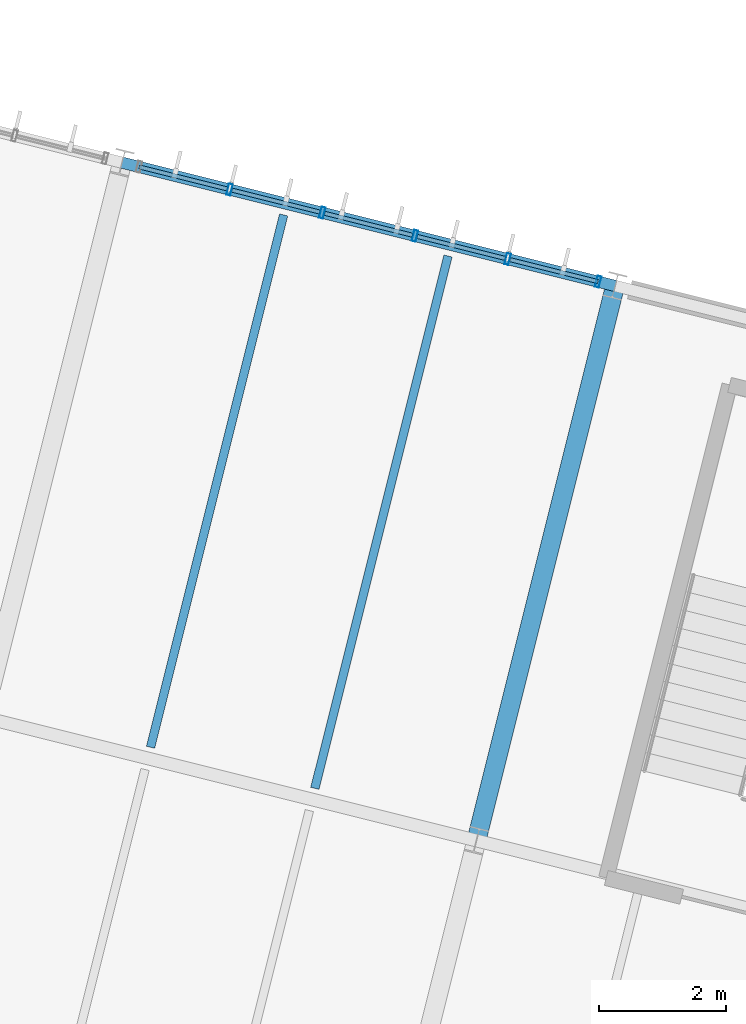
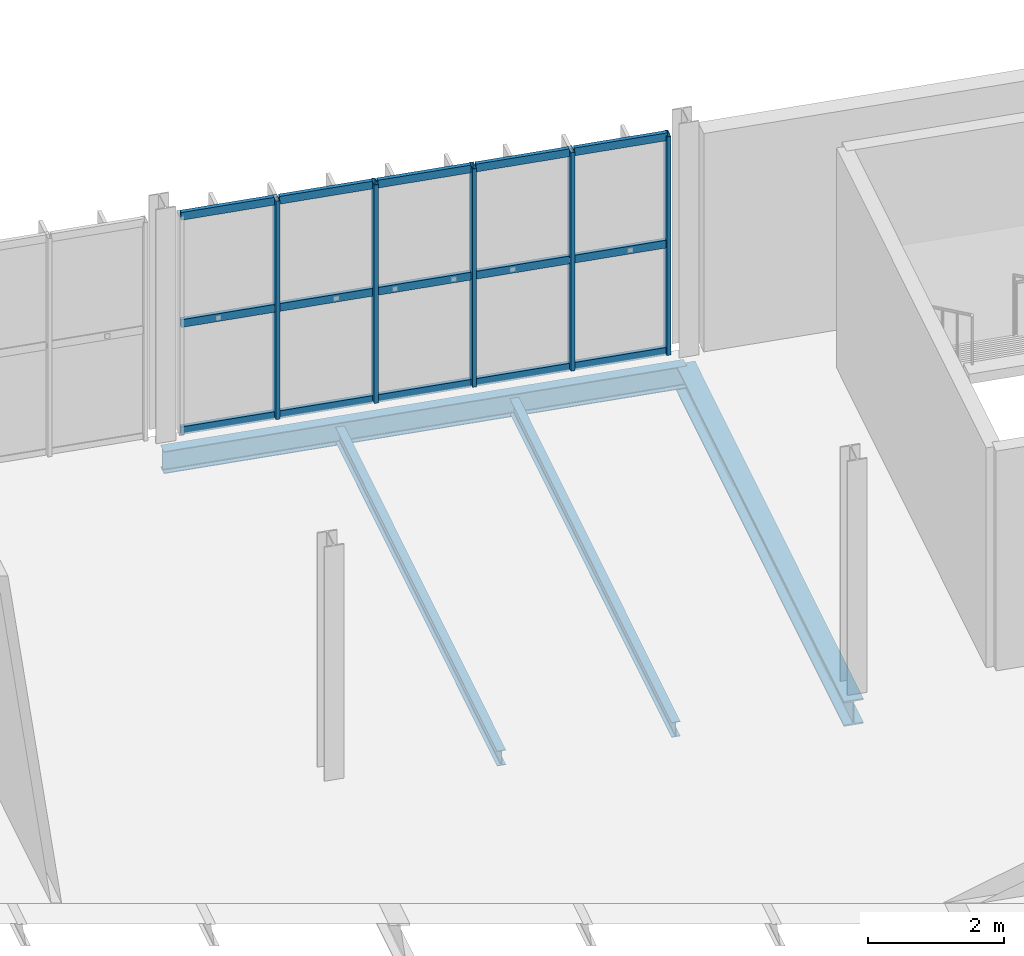
# One storey, part 38 of 61: 20 members, 4 beams, 1 element without a shape of its own.
"""IFC4 building model written with IfcOpenShell, lengths in metres."""

from ifc_helpers import new_model, si_unit, derived_unit, direction, frame, origin, origin_2d, place, context, subcontext, project, spatial, hollow_rectangle, i_section, extrude, material, material_profile, profile_set, type_object, element, aggregate, save


model = new_model("IFC4")

# Units and contexts
model_context = context("Model", 3, precision=1e-05, world=origin(), true_north=direction((0.0, 1.0)))
body_context = subcontext(model_context, "Body", "Model", "MODEL_VIEW")
ifc_project = project(units=[si_unit("LENGTHUNIT", "METRE"), si_unit("AREAUNIT", "SQUARE_METRE"), si_unit("VOLUMEUNIT", "CUBIC_METRE"), si_unit("PLANEANGLEUNIT", "RADIAN"), si_unit("MASSUNIT", "GRAM", prefix="KILO"), si_unit("THERMODYNAMICTEMPERATUREUNIT", "KELVIN"), si_unit("TIMEUNIT", "SECOND"), derived_unit("THERMALTRANSMITTANCEUNIT", [(si_unit("MASSUNIT", "GRAM", prefix="KILO"), 1), (si_unit("THERMODYNAMICTEMPERATUREUNIT", "KELVIN"), -1), (si_unit("TIMEUNIT", "SECOND"), -3)])], contexts=[model_context])

# Site, building, storey
site_placement = place(None, origin())
site = spatial("IfcSite", under=ifc_project, at=site_placement, CompositionType="ELEMENT")
building_placement = place(site_placement, origin())
building = spatial("IfcBuilding", under=site, at=building_placement, Name="Cambertide Market Hall", CompositionType="ELEMENT")
storey_placement = place(building_placement, frame((0.0, 0.0, 9.89990234375)))
storey = spatial("IfcBuildingStorey", under=building, at=storey_placement, Name="L03", CompositionType="ELEMENT", Elevation=9.89990234375)

# Curtain wall, members
ifc_material_1 = material(Name="Marine Anodized Aluminium 6063-T6 AA25", Category="aluminium")
curtain_wall_type = type_object("IfcCurtainWallType", Name="Cooking School Classroom Curtain Wall", PredefinedType="USERDEFINED", material=ifc_material_1)
curtain_wall_placement = place(storey_placement, origin())
curtain_wall = element("IfcCurtainWall", 1, at=curtain_wall_placement, inside=storey, type_object=curtain_wall_type, Name="Level 3 Curtain Wall CW-V4N-L03-7", ObjectType="UNITIZED CURTAIN WALL", PredefinedType="USERDEFINED")
ifc_material_2 = material(Name="Champagne Marine Anodized Aluminium 6063-T6 AA25", Category="aluminium")
ifc_material_profile_1 = material_profile(ifc_material_2, hollow_rectangle(XDim=0.06494140625, YDim=0.179931640625, WallThickness=0.00390625, at=origin_2d()), Name="ALU MULLION 65x180")
ifc_profile_set_1 = profile_set([ifc_material_profile_1], Name="Champagne Marine Anodized Aluminium 6063-T6 AA25")
member_type_1 = type_object("IfcMemberType", Name="Curtain Wall Mullion ALU MULLION 65x180", PredefinedType="MULLION", material=ifc_profile_set_1)
member_1_placement = place(storey_placement, frame((162.80712890625, 114.129150390625, 0.0), z_axis=(0.0, 0.0, 1.0), x_axis=(0.970142500145, -0.242535625038, 0.0)))
member_1 = element("IfcMember", 2, at=member_1_placement, type_object=member_type_1, Name="CW-V4N-L03-7 Mullion 2", PredefinedType="MULLION", context=body_context, shape_type="SweptSolid", body=[
    extrude(hollow_rectangle(XDim=0.06494140625, YDim=0.179931640625, WallThickness=0.00390625, at=origin_2d()), origin(), (0.0, 0.0, 1.0), 3.920166015625),
])
member_2_placement = place(storey_placement, frame((164.266357421875, 113.764404296875, 0.0), z_axis=(0.0, 0.0, 1.0), x_axis=(0.970142500145, -0.242535625038, 0.0)))
member_2 = element("IfcMember", 3, at=member_2_placement, type_object=member_type_1, Name="CW-V4N-L03-7 Mullion 3", PredefinedType="MULLION", context=body_context, shape_type="SweptSolid", body=[
    extrude(hollow_rectangle(XDim=0.06494140625, YDim=0.179931640625, WallThickness=0.00390625, at=origin_2d()), origin(), (0.0, 0.0, 1.0), 3.920166015625),
])
member_3_placement = place(storey_placement, frame((165.725341796875, 113.399658203125, 0.0), z_axis=(0.0, 0.0, 1.0), x_axis=(0.970142500145, -0.242535625038, 0.0)))
member_3 = element("IfcMember", 4, at=member_3_placement, type_object=member_type_1, Name="CW-V4N-L03-7 Mullion 4", PredefinedType="MULLION", context=body_context, shape_type="SweptSolid", body=[
    extrude(hollow_rectangle(XDim=0.06494140625, YDim=0.179931640625, WallThickness=0.00390625, at=origin_2d()), origin(), (0.0, 0.0, 1.0), 3.920166015625),
])
member_4_placement = place(storey_placement, frame((167.1845703125, 113.034912109375, 0.0), z_axis=(0.0, 0.0, 1.0), x_axis=(0.970142500145, -0.242535625038, 0.0)))
member_4 = element("IfcMember", 5, at=member_4_placement, type_object=member_type_1, Name="CW-V4N-L03-7 Mullion 5", PredefinedType="MULLION", context=body_context, shape_type="SweptSolid", body=[
    extrude(hollow_rectangle(XDim=0.06494140625, YDim=0.179931640625, WallThickness=0.00390625, at=origin_2d()), origin(), (0.0, 0.0, 1.0), 3.920166015625),
])
member_5_placement = place(storey_placement, frame((168.609619140625, 112.678466796875, 0.0), z_axis=(0.0, 0.0, 1.0), x_axis=(0.970142500145, -0.242535625038, 0.0)))
member_5 = element("IfcMember", 6, at=member_5_placement, type_object=member_type_1, Name="CW-V4N-L03-7 Mullion 6", PredefinedType="MULLION", context=body_context, shape_type="SweptSolid", body=[
    extrude(hollow_rectangle(XDim=0.06494140625, YDim=0.179931640625, WallThickness=0.00390625, at=origin_2d()), origin(), (0.0, 0.0, 1.0), 3.920166015625),
])
ifc_material_3 = material(Name="Champagne Marine Anodized Aluminium 6063-T6 AA25", Category="aluminium")
ifc_material_profile_2 = material_profile(ifc_material_3, hollow_rectangle(XDim=0.06494140625, YDim=0.139892578125, WallThickness=0.00341796875, at=origin_2d()), Name="ALU TRANSOM 65x140")
ifc_profile_set_2 = profile_set([ifc_material_profile_2], Name="Champagne Marine Anodized Aluminium 6063-T6 AA25")
member_type_2 = type_object("IfcMemberType", Name="Curtain Wall Transom ALU TRANSOM 65x140", PredefinedType="USERDEFINED", material=ifc_profile_set_2)
member_6_placement = place(storey_placement, frame((161.386962890625, 114.484130859375, 0.03515625), z_axis=(0.970162669427, -0.242454933646, 0.0), x_axis=(0.242454933646, 0.970162669427, 0.0)))
member_6 = element("IfcMember", 7, at=member_6_placement, type_object=member_type_2, Name="CW-V4N-L03-7 Transom 1-1", ObjectType="TRANSOM", PredefinedType="USERDEFINED", context=body_context, shape_type="SweptSolid", body=[
    extrude(hollow_rectangle(XDim=0.06494140625, YDim=0.139892578125, WallThickness=0.00341796875, at=origin_2d()), origin(), (0.0, 0.0, 1.0), 1.423828125),
])
member_7_placement = place(storey_placement, frame((162.845947265625, 114.119384765625, 0.03515625), z_axis=(0.970172746521, -0.242414607454, 0.0), x_axis=(0.242414607454, 0.970172746521, 0.0)))
member_7 = element("IfcMember", 8, at=member_7_placement, type_object=member_type_2, Name="CW-V4N-L03-7 Transom 1-2", ObjectType="TRANSOM", PredefinedType="USERDEFINED", context=body_context, shape_type="SweptSolid", body=[
    extrude(hollow_rectangle(XDim=0.06494140625, YDim=0.139892578125, WallThickness=0.00341796875, at=origin_2d()), origin(), (0.0, 0.0, 1.0), 1.424072265625),
])
member_8_placement = place(storey_placement, frame((164.30517578125, 113.754638671875, 0.03515625), z_axis=(0.970162669427, -0.242454933646, 0.0), x_axis=(0.242454933646, 0.970162669427, 0.0)))
member_8 = element("IfcMember", 9, at=member_8_placement, type_object=member_type_2, Name="CW-V4N-L03-7 Transom 1-3", ObjectType="TRANSOM", PredefinedType="USERDEFINED", context=body_context, shape_type="SweptSolid", body=[
    extrude(hollow_rectangle(XDim=0.06494140625, YDim=0.139892578125, WallThickness=0.00341796875, at=origin_2d()), origin(), (0.0, 0.0, 1.0), 1.423828125),
])
member_9_placement = place(storey_placement, frame((165.76416015625, 113.389892578125, 0.03515625), z_axis=(0.970132415085, -0.242575961715, 0.0), x_axis=(0.242575961715, 0.970132415085, 0.0)))
member_9 = element("IfcMember", 10, at=member_9_placement, type_object=member_type_2, Name="CW-V4N-L03-7 Transom 1-4", ObjectType="TRANSOM", PredefinedType="USERDEFINED", context=body_context, shape_type="SweptSolid", body=[
    extrude(hollow_rectangle(XDim=0.06494140625, YDim=0.139892578125, WallThickness=0.00341796875, at=origin_2d()), origin(), (0.0, 0.0, 1.0), 1.424072265625),
])
member_10_placement = place(storey_placement, frame((167.223388671875, 113.025146484375, 0.03515625), z_axis=(0.970122324991, -0.242616311393, 0.0), x_axis=(0.242616311393, 0.970122324991, 0.0)))
member_10 = element("IfcMember", 11, at=member_10_placement, type_object=member_type_2, Name="CW-V4N-L03-7 Transom 1-5", ObjectType="TRANSOM", PredefinedType="USERDEFINED", context=body_context, shape_type="SweptSolid", body=[
    extrude(hollow_rectangle(XDim=0.06494140625, YDim=0.139892578125, WallThickness=0.00341796875, at=origin_2d()), origin(), (0.0, 0.0, 1.0), 1.423828125),
])
member_11_placement = place(storey_placement, frame((161.386962890625, 114.484130859375, 1.960205078125), z_axis=(0.970162669427, -0.242454933646, 0.0), x_axis=(0.242454933646, 0.970162669427, 0.0)))
member_11 = element("IfcMember", 12, at=member_11_placement, type_object=member_type_2, Name="CW-V4N-L03-7 Transom 2-1", ObjectType="TRANSOM", PredefinedType="USERDEFINED", context=body_context, shape_type="SweptSolid", body=[
    extrude(hollow_rectangle(XDim=0.06494140625, YDim=0.139892578125, WallThickness=0.00341796875, at=origin_2d()), origin(), (0.0, 0.0, 1.0), 1.423828125),
])
member_12_placement = place(storey_placement, frame((162.845947265625, 114.119384765625, 1.960205078125), z_axis=(0.970172746521, -0.242414607454, 0.0), x_axis=(0.242414607454, 0.970172746521, 0.0)))
member_12 = element("IfcMember", 13, at=member_12_placement, type_object=member_type_2, Name="CW-V4N-L03-7 Transom 2-2", ObjectType="TRANSOM", PredefinedType="USERDEFINED", context=body_context, shape_type="SweptSolid", body=[
    extrude(hollow_rectangle(XDim=0.06494140625, YDim=0.139892578125, WallThickness=0.00341796875, at=origin_2d()), origin(), (0.0, 0.0, 1.0), 1.424072265625),
])
member_13_placement = place(storey_placement, frame((164.30517578125, 113.754638671875, 1.960205078125), z_axis=(0.970162669427, -0.242454933646, 0.0), x_axis=(0.242454933646, 0.970162669427, 0.0)))
member_13 = element("IfcMember", 14, at=member_13_placement, type_object=member_type_2, Name="CW-V4N-L03-7 Transom 2-3", ObjectType="TRANSOM", PredefinedType="USERDEFINED", context=body_context, shape_type="SweptSolid", body=[
    extrude(hollow_rectangle(XDim=0.06494140625, YDim=0.139892578125, WallThickness=0.00341796875, at=origin_2d()), origin(), (0.0, 0.0, 1.0), 1.423828125),
])
member_14_placement = place(storey_placement, frame((165.76416015625, 113.389892578125, 1.960205078125), z_axis=(0.970132415085, -0.242575961715, 0.0), x_axis=(0.242575961715, 0.970132415085, 0.0)))
member_14 = element("IfcMember", 15, at=member_14_placement, type_object=member_type_2, Name="CW-V4N-L03-7 Transom 2-4", ObjectType="TRANSOM", PredefinedType="USERDEFINED", context=body_context, shape_type="SweptSolid", body=[
    extrude(hollow_rectangle(XDim=0.06494140625, YDim=0.139892578125, WallThickness=0.00341796875, at=origin_2d()), origin(), (0.0, 0.0, 1.0), 1.424072265625),
])
member_15_placement = place(storey_placement, frame((167.223388671875, 113.025146484375, 1.960205078125), z_axis=(0.970122324991, -0.242616311393, 0.0), x_axis=(0.242616311393, 0.970122324991, 0.0)))
member_15 = element("IfcMember", 16, at=member_15_placement, type_object=member_type_2, Name="CW-V4N-L03-7 Transom 2-5", ObjectType="TRANSOM", PredefinedType="USERDEFINED", context=body_context, shape_type="SweptSolid", body=[
    extrude(hollow_rectangle(XDim=0.06494140625, YDim=0.139892578125, WallThickness=0.00341796875, at=origin_2d()), origin(), (0.0, 0.0, 1.0), 1.423828125),
])
member_16_placement = place(storey_placement, frame((161.386962890625, 114.484130859375, 3.885009765625), z_axis=(0.970162669427, -0.242454933646, 0.0), x_axis=(0.242454933646, 0.970162669427, 0.0)))
member_16 = element("IfcMember", 17, at=member_16_placement, type_object=member_type_2, Name="CW-V4N-L03-7 Transom 3-1", ObjectType="TRANSOM", PredefinedType="USERDEFINED", context=body_context, shape_type="SweptSolid", body=[
    extrude(hollow_rectangle(XDim=0.06494140625, YDim=0.139892578125, WallThickness=0.00341796875, at=origin_2d()), origin(), (0.0, 0.0, 1.0), 1.423828125),
])
member_17_placement = place(storey_placement, frame((162.845947265625, 114.119384765625, 3.885009765625), z_axis=(0.970172746521, -0.242414607454, 0.0), x_axis=(0.242414607454, 0.970172746521, 0.0)))
member_17 = element("IfcMember", 18, at=member_17_placement, type_object=member_type_2, Name="CW-V4N-L03-7 Transom 3-2", ObjectType="TRANSOM", PredefinedType="USERDEFINED", context=body_context, shape_type="SweptSolid", body=[
    extrude(hollow_rectangle(XDim=0.06494140625, YDim=0.139892578125, WallThickness=0.00341796875, at=origin_2d()), origin(), (0.0, 0.0, 1.0), 1.424072265625),
])
member_18_placement = place(storey_placement, frame((164.30517578125, 113.754638671875, 3.885009765625), z_axis=(0.970162669427, -0.242454933646, 0.0), x_axis=(0.242454933646, 0.970162669427, 0.0)))
member_18 = element("IfcMember", 19, at=member_18_placement, type_object=member_type_2, Name="CW-V4N-L03-7 Transom 3-3", ObjectType="TRANSOM", PredefinedType="USERDEFINED", context=body_context, shape_type="SweptSolid", body=[
    extrude(hollow_rectangle(XDim=0.06494140625, YDim=0.139892578125, WallThickness=0.00341796875, at=origin_2d()), origin(), (0.0, 0.0, 1.0), 1.423828125),
])
member_19_placement = place(storey_placement, frame((165.76416015625, 113.389892578125, 3.885009765625), z_axis=(0.970132415085, -0.242575961715, 0.0), x_axis=(0.242575961715, 0.970132415085, 0.0)))
member_19 = element("IfcMember", 20, at=member_19_placement, type_object=member_type_2, Name="CW-V4N-L03-7 Transom 3-4", ObjectType="TRANSOM", PredefinedType="USERDEFINED", context=body_context, shape_type="SweptSolid", body=[
    extrude(hollow_rectangle(XDim=0.06494140625, YDim=0.139892578125, WallThickness=0.00341796875, at=origin_2d()), origin(), (0.0, 0.0, 1.0), 1.424072265625),
])
member_20_placement = place(storey_placement, frame((167.223388671875, 113.025146484375, 3.885009765625), z_axis=(0.970122324991, -0.242616311393, 0.0), x_axis=(0.242616311393, 0.970122324991, 0.0)))
member_20 = element("IfcMember", 21, at=member_20_placement, type_object=member_type_2, Name="CW-V4N-L03-7 Transom 3-5", ObjectType="TRANSOM", PredefinedType="USERDEFINED", context=body_context, shape_type="SweptSolid", body=[
    extrude(hollow_rectangle(XDim=0.06494140625, YDim=0.139892578125, WallThickness=0.00341796875, at=origin_2d()), origin(), (0.0, 0.0, 1.0), 1.423828125),
])
aggregate(curtain_wall, [member_1, member_2, member_3, member_4, member_5, member_6, member_7, member_8, member_9, member_10, member_11, member_12, member_13, member_14, member_15, member_16, member_17, member_18, member_19, member_20])

# Beams
ifc_material_4 = material(Name="Steel S355", Category="steel")
ifc_material_profile_3 = material_profile(ifc_material_4, i_section(OverallWidth=0.179931640625, OverallDepth=0.39990234375, WebThickness=0.008544921875, FlangeThickness=0.013427734375, FilletRadius=0.02099609375, at=origin_2d()), Name="IPE 400")
ifc_profile_set_3 = profile_set([ifc_material_profile_3], Name="Steel S355")
beam_type_1 = type_object("IfcBeamType", Name="Perimeter Spandrel Beam IPE 400", PredefinedType="SPANDREL", material=ifc_profile_set_3)
beam_1_placement = place(storey_placement, frame((161.115234375, 114.55224609375, -0.44482421875), z_axis=(0.970138909791, -0.242549986002, 0.0), x_axis=(0.242549986002, 0.970138909791, 0.0)))
element("IfcBeam", 22, at=beam_1_placement, inside=storey, type_object=beam_type_1, Name="Level 3 Spandrel BM-V4U-L03-7-4", PredefinedType="SPANDREL", context=body_context, shape_type="SweptSolid", body=[
    extrude(i_section(OverallWidth=0.179931640625, OverallDepth=0.39990234375, WebThickness=0.008544921875, FlangeThickness=0.013427734375, FilletRadius=0.02099609375, at=origin_2d()), origin(), (0.0, 0.0, 1.0), 8.000244140625),
])
ifc_material_5 = material(Name="Steel S355", Category="steel")
ifc_material_profile_4 = material_profile(ifc_material_5, i_section(OverallWidth=0.300048828125, OverallDepth=0.449951171875, WebThickness=0.013916015625, FlangeThickness=0.02587890625, FilletRadius=0.027099609375, at=origin_2d()), Name="HEB 450")
ifc_profile_set_4 = profile_set([ifc_material_profile_4], Name="Steel S355")
beam_type_2 = type_object("IfcBeamType", Name="Steel Girder HEB 450", PredefinedType="BEAM", material=ifc_profile_set_4)
beam_2_placement = place(storey_placement, frame((166.693603515625, 103.880615234375, -0.469970703125), z_axis=(0.242542007841, 0.970140904422, 0.0), x_axis=(-0.970140904422, 0.242542007841, 0.0)))
element("IfcBeam", 23, at=beam_2_placement, inside=storey, type_object=beam_type_2, Name="Level 3 Beam BM-V4V-L03-8-3", PredefinedType="BEAM", context=body_context, shape_type="SweptSolid", body=[
    extrude(i_section(OverallWidth=0.300048828125, OverallDepth=0.449951171875, WebThickness=0.013916015625, FlangeThickness=0.02587890625, FilletRadius=0.027099609375, at=origin_2d()), origin(), (0.0, 0.0, 1.0), 9.0),
])
ifc_material_6 = material(Name="Steel S275", Category="steel")
ifc_material_profile_5 = material_profile(ifc_material_6, i_section(OverallWidth=0.135009765625, OverallDepth=0.27001953125, WebThickness=0.006591796875, FlangeThickness=0.01025390625, FilletRadius=0.014892578125, at=origin_2d()), Name="IPE 270")
ifc_profile_set_5 = profile_set([ifc_material_profile_5], Name="Steel S275")
beam_type_3 = type_object("IfcBeamType", Name="Steel Secondary Joist IPE 270", PredefinedType="JOIST", material=ifc_profile_set_5)
for number, where, z_axis, x_axis, name in (
    (24, (161.563232421875, 105.3486328125, -0.3798828125), (0.242528976348, 0.970144162293, 0.0), (-0.970144162293, 0.242528976348, 0.0), "Level 3 Joist JS-V4-L03-7-3-1"),
    (25, (164.150146484375, 104.701904296875, -0.3798828125), (0.242555570896, 0.970137513463, 0.0), (-0.970137513463, 0.242555570896, 0.0), "Level 3 Joist JS-V4-L03-7-3-2"),
):
    element("IfcBeam", number, at=place(storey_placement, frame(where, z_axis=z_axis, x_axis=x_axis)), inside=storey, type_object=beam_type_3, Name=name, PredefinedType="JOIST", context=body_context, shape_type="SweptSolid", body=[
        extrude(i_section(OverallWidth=0.135009765625, OverallDepth=0.27001953125, WebThickness=0.006591796875, FlangeThickness=0.01025390625, FilletRadius=0.014892578125, at=origin_2d()), origin(), (0.0, 0.0, 1.0), 8.64013671875),
    ])

save(model, "model.ifc")
